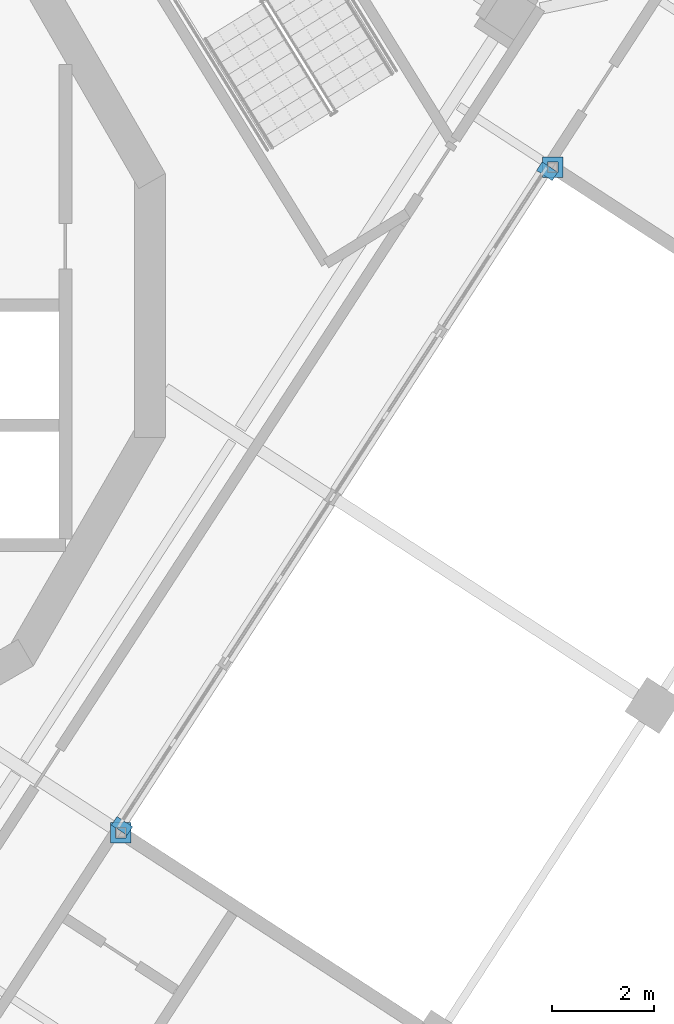
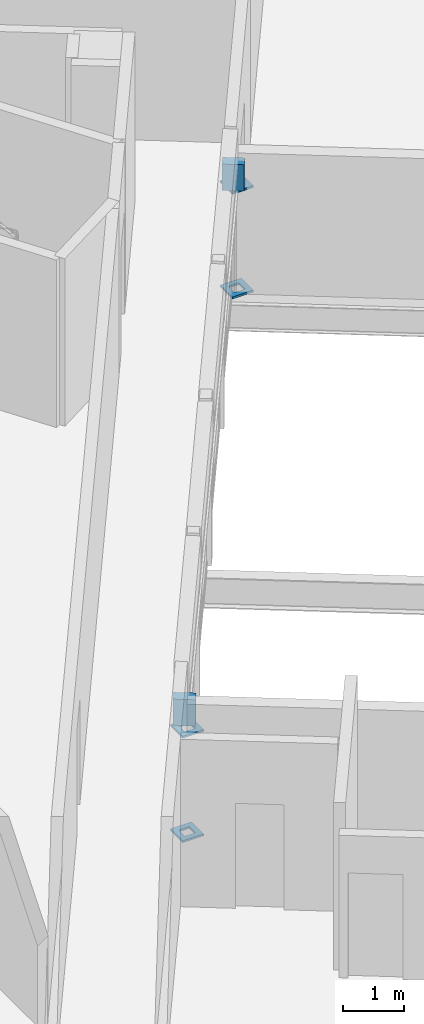
# One storey, part 12 of 17: 6 discrete accessories.
"""IFC4 building model written with IfcOpenShell, lengths in metres."""

from ifc_helpers import new_model, si_unit, direction, frame, origin, place, context, subcontext, project, spatial, polyline, outline, extrude, material, layer, layer_set, type_object, element, save


model = new_model("IFC4")

# Units and contexts
model_context = context("Model", 3, precision=1e-05, world=origin(), true_north=direction((0.0, 1.0)))
body_context = subcontext(model_context, "Body", "Model", "MODEL_VIEW")
ifc_project = project(units=[si_unit("LENGTHUNIT", "METRE"), si_unit("AREAUNIT", "SQUARE_METRE"), si_unit("VOLUMEUNIT", "CUBIC_METRE"), si_unit("PLANEANGLEUNIT", "RADIAN"), si_unit("MASSUNIT", "GRAM", prefix="KILO")], contexts=[model_context])

# Site, building, storey
site_placement = place(None, origin())
site = spatial("IfcSite", under=ifc_project, at=site_placement, CompositionType="ELEMENT")
building_placement = place(site_placement, origin())
building = spatial("IfcBuilding", under=site, at=building_placement, Name="Cantera Rosa Tower", CompositionType="ELEMENT")
storey_placement = place(building_placement, frame((0.0, 0.0, 268.5)))
storey = spatial("IfcBuildingStorey", under=building, at=storey_placement, Name="L60", CompositionType="ELEMENT", Elevation=268.5)

# Discrete accessories
ifc_material = material(Name="Steel ASTM A992 (Fy 345 MPa)", Category="steel")
ifc_layer = layer(ifc_material, 0.0400390625)
ifc_layer_set = layer_set([ifc_layer], Name="STEEL BEARING PLATE 40")
discrete_accessory_type = type_object("IfcDiscreteAccessoryType", Name="STEEL BEARING PLATE 40", PredefinedType="ANCHORPLATE", material=ifc_layer_set)
discrete_accessory_1_placement = place(storey_placement, origin())
element("IfcDiscreteAccessory", 1, at=discrete_accessory_1_placement, inside=storey, type_object=discrete_accessory_type, Name="POST PLATE L60-1F", PredefinedType="ANCHORPLATE", context=body_context, shape_type="SweptSolid", body=[
    extrude(outline(polyline([(8.583984375, -10.542724609375), (8.984130859375, -10.542724609375), (8.984130859375, -10.142578125), (8.583984375, -10.142578125), (8.583984375, -10.542724609375)]), holes=[polyline([(8.68408203125, -10.442626953125), (8.884033203125, -10.442626953125), (8.884033203125, -10.24267578125), (8.68408203125, -10.24267578125), (8.68408203125, -10.442626953125)])]), origin(), (0.0, 0.0, 1.0), 0.0400390625),
])
discrete_accessory_2_placement = place(storey_placement, frame((0.0, 0.0, 2.090087890625)))
element("IfcDiscreteAccessory", 2, at=discrete_accessory_2_placement, inside=storey, type_object=discrete_accessory_type, Name="POST PLATE L60-1T", PredefinedType="ANCHORPLATE", context=body_context, shape_type="SweptSolid", body=[
    extrude(outline(polyline([(8.583984375, -10.542724609375), (8.984130859375, -10.542724609375), (8.984130859375, -10.142578125), (8.583984375, -10.142578125), (8.583984375, -10.542724609375)]), holes=[polyline([(8.68408203125, -10.442626953125), (8.884033203125, -10.442626953125), (8.884033203125, -10.24267578125), (8.68408203125, -10.24267578125), (8.68408203125, -10.442626953125)])]), origin(), (0.0, 0.0, 1.0), 0.039794921875),
])
discrete_accessory_3_placement = place(storey_placement, origin())
element("IfcDiscreteAccessory", 3, at=discrete_accessory_3_placement, inside=storey, type_object=discrete_accessory_type, Name="POST PLATE L60-2F", PredefinedType="ANCHORPLATE", context=body_context, shape_type="SweptSolid", body=[
    extrude(outline(polyline([(17.05859375, 2.507080078125), (17.458740234375, 2.507080078125), (17.458740234375, 2.906982421875), (17.05859375, 2.906982421875), (17.05859375, 2.507080078125)]), holes=[polyline([(17.15869140625, 2.60693359375), (17.358642578125, 2.60693359375), (17.358642578125, 2.806884765625), (17.15869140625, 2.806884765625), (17.15869140625, 2.60693359375)])]), origin(), (0.0, 0.0, 1.0), 0.0400390625),
])
discrete_accessory_4_placement = place(storey_placement, frame((0.0, 0.0, 2.090087890625)))
element("IfcDiscreteAccessory", 4, at=discrete_accessory_4_placement, inside=storey, type_object=discrete_accessory_type, Name="POST PLATE L60-2T", PredefinedType="ANCHORPLATE", context=body_context, shape_type="SweptSolid", body=[
    extrude(outline(polyline([(17.05859375, 2.507080078125), (17.458740234375, 2.507080078125), (17.458740234375, 2.906982421875), (17.05859375, 2.906982421875), (17.05859375, 2.507080078125)]), holes=[polyline([(17.15869140625, 2.60693359375), (17.358642578125, 2.60693359375), (17.358642578125, 2.806884765625), (17.15869140625, 2.806884765625), (17.15869140625, 2.60693359375)])]), origin(), (0.0, 0.0, 1.0), 0.039794921875),
])
discrete_accessory_5_placement = place(storey_placement, frame((0.0, 0.0, 2.1298828125)))
element("IfcDiscreteAccessory", 5, at=discrete_accessory_5_placement, inside=storey, type_object=discrete_accessory_type, Name="LINTEL PLATE L60-1", PredefinedType="ANCHORPLATE", context=body_context, shape_type="SweptSolid", body=[
    extrude(outline(polyline([(8.711181640625, -10.027099609375), (8.602294921875, -10.19482421875), (8.9091796875, -10.394287109375), (9.018310546875, -10.2265625), (8.711181640625, -10.027099609375)])), origin(), (0.0, 0.0, 1.0), 0.528076171875),
])
discrete_accessory_6_placement = place(storey_placement, frame((0.0, 0.0, 2.1298828125)))
element("IfcDiscreteAccessory", 6, at=discrete_accessory_6_placement, inside=storey, type_object=discrete_accessory_type, Name="LINTEL PLATE L60-2", PredefinedType="ANCHORPLATE", context=body_context, shape_type="SweptSolid", body=[
    extrude(outline(polyline([(17.247802734375, 2.44580078125), (17.356689453125, 2.613525390625), (17.049560546875, 2.81298828125), (16.940673828125, 2.645263671875), (17.247802734375, 2.44580078125)])), origin(), (0.0, 0.0, 1.0), 0.528076171875),
])

save(model, "model.ifc")
